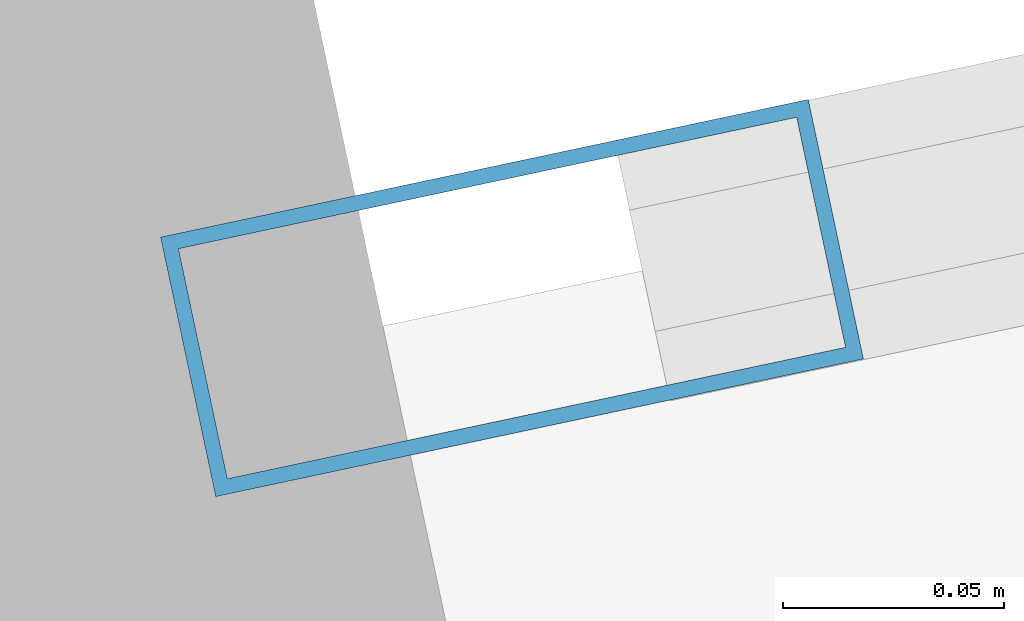
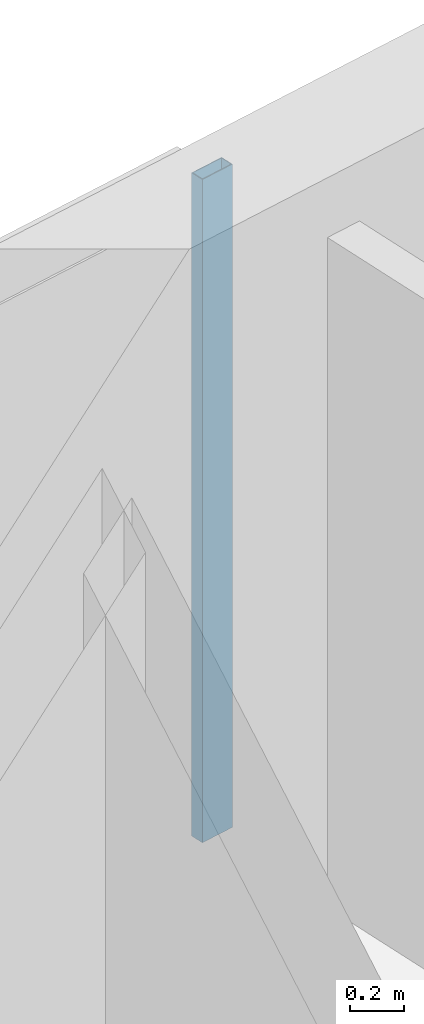
# One storey, part 6 of 22: 1 member, 1 element without a shape of its own.
"""IFC4 building model written with IfcOpenShell, lengths in metres."""

from ifc_helpers import new_model, si_unit, direction, frame, origin, origin_2d, place, context, subcontext, project, spatial, hollow_rectangle, extrude, material, layer, layer_set, material_profile, profile_set, type_object, element, aggregate, save


model = new_model("IFC4")

# Units and contexts
model_context = context("Model", 3, precision=1e-05, world=origin(), true_north=direction((0.0, 1.0)))
body_context = subcontext(model_context, "Body", "Model", "MODEL_VIEW")
ifc_project = project(units=[si_unit("LENGTHUNIT", "METRE"), si_unit("AREAUNIT", "SQUARE_METRE"), si_unit("VOLUMEUNIT", "CUBIC_METRE"), si_unit("PLANEANGLEUNIT", "RADIAN"), si_unit("MASSUNIT", "GRAM", prefix="KILO")], contexts=[model_context])

# Site, building, storey
site_placement = place(None, origin())
site = spatial("IfcSite", under=ifc_project, at=site_placement, CompositionType="ELEMENT")
building_placement = place(site_placement, origin())
building = spatial("IfcBuilding", under=site, at=building_placement, Name="Haevon Station Towers", CompositionType="ELEMENT")
storey_placement = place(building_placement, frame((0.0, 0.0, 93.300048828125)))
storey = spatial("IfcBuildingStorey", under=building, at=storey_placement, Name="L24", CompositionType="ELEMENT", Elevation=93.300048828125)

# Curtain wall, member
ifc_material_1 = material(Name="Anodised aluminium and Low-E double glazing", Category="aluminium")
ifc_layer = layer(ifc_material_1, 0.179931640625)
ifc_layer_set = layer_set([ifc_layer], Name="Anodised aluminium and Low-E double glazing")
curtain_wall_type = type_object("IfcCurtainWallType", Name="CW-SYS5", PredefinedType="NOTDEFINED", material=ifc_layer_set)
curtain_wall_placement = place(storey_placement, origin())
curtain_wall = element("IfcCurtainWall", 1, at=curtain_wall_placement, inside=storey, type_object=curtain_wall_type, Name="L24 Curtain Wall CW-T2-L24-N", PredefinedType="NOTDEFINED")
ifc_material_2 = material(Name="Anodised aluminium 6063-T6", Category="aluminium")
ifc_material_profile = material_profile(ifc_material_2, hollow_rectangle(XDim=0.06005859375, YDim=0.14990234375, WallThickness=0.00341796875, at=origin_2d()), Name="CWM-150x60x3.5")
ifc_profile_set = profile_set([ifc_material_profile], Name="Anodised aluminium 6063-T6")
member_type = type_object("IfcMemberType", Name="CWM-150", PredefinedType="MULLION", material=ifc_profile_set)
member_placement = place(storey_placement, frame((104.03857421875, 48.78955078125, 0.0), z_axis=(0.0, 0.0, 1.0), x_axis=(-0.207911783211, 0.978147581095, 0.0)))
member = element("IfcMember", 2, at=member_placement, type_object=member_type, Name="CW-SYS5 mullion 1", PredefinedType="MULLION", context=body_context, shape_type="SweptSolid", body=[
    extrude(hollow_rectangle(XDim=0.06005859375, YDim=0.14990234375, WallThickness=0.00341796875, at=origin_2d()), origin(), (0.0, 0.0, 1.0), 3.0),
])
aggregate(curtain_wall, [member])

save(model, "model.ifc")
